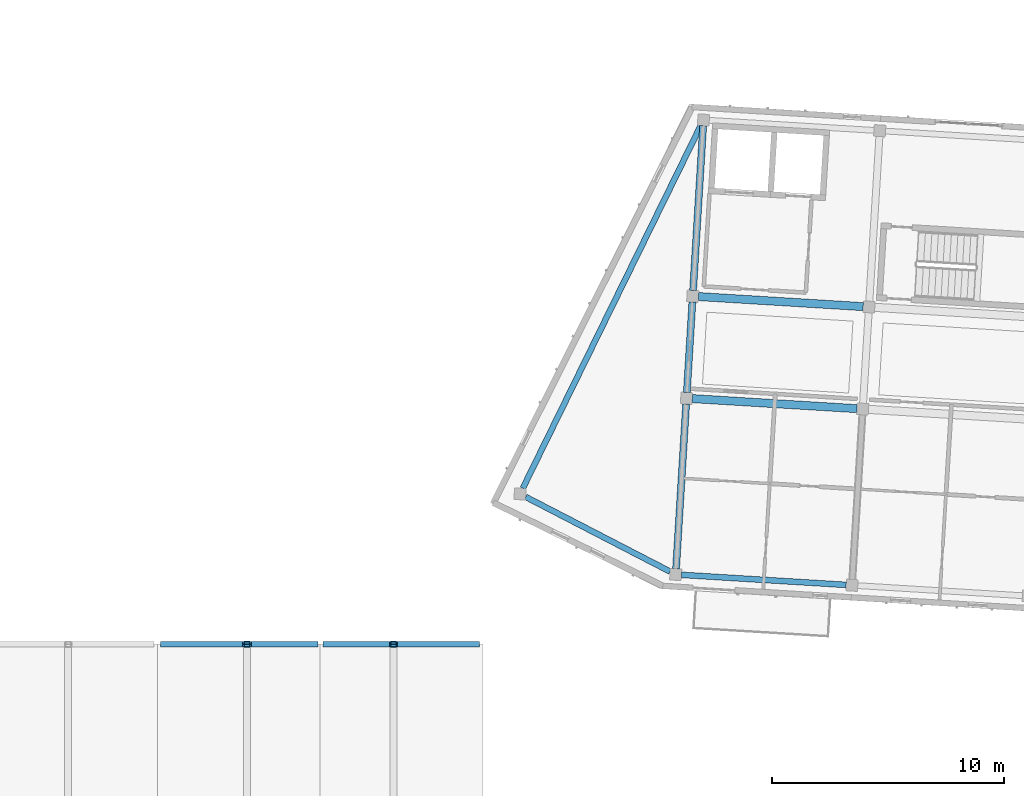
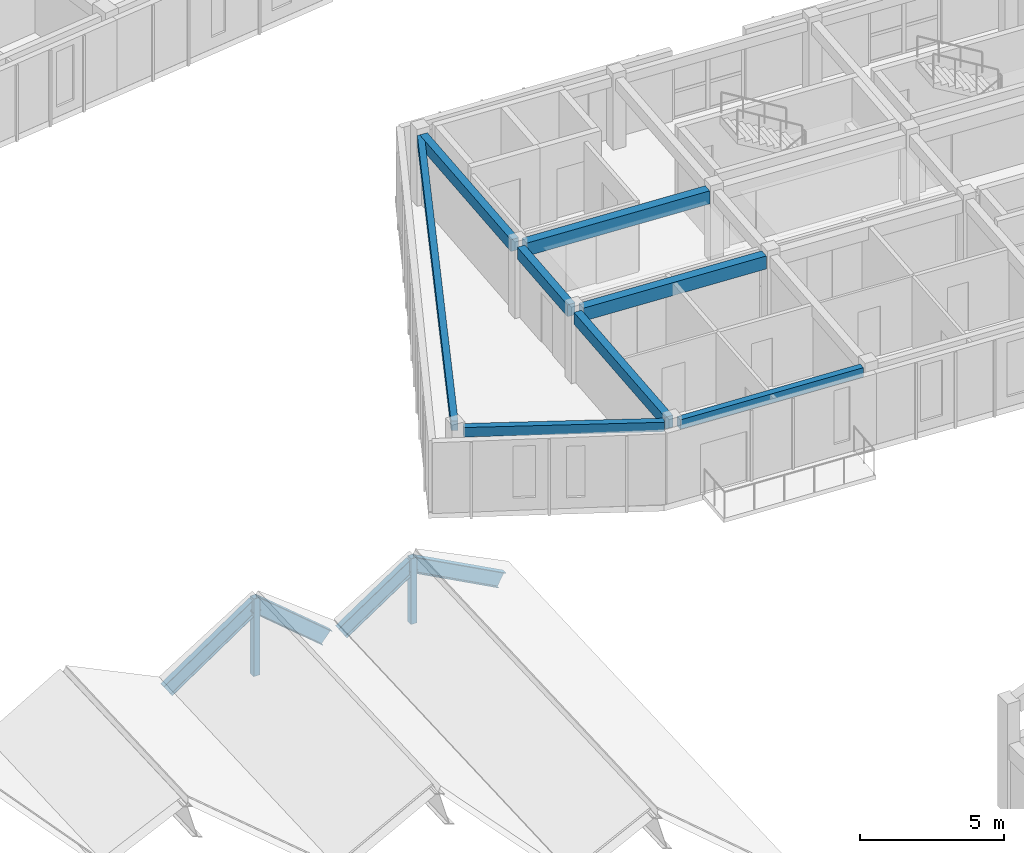
# One storey, part 13 of 127: 12 beams, 2 members.
"""IFC4 building model written with IfcOpenShell, lengths in metres."""

from ifc_helpers import new_model, si_unit, direction, frame, origin, origin_2d, place, context, subcontext, project, spatial, rectangle, hollow_rectangle, i_section, extrude, material, material_profile, profile_set, type_object, element, save


model = new_model("IFC4")

# Units and contexts
model_context = context("Model", 3, precision=1e-05, world=origin(), true_north=direction((0.0, 1.0)))
body_context = subcontext(model_context, "Body", "Model", "MODEL_VIEW")
ifc_project = project(units=[si_unit("LENGTHUNIT", "METRE"), si_unit("AREAUNIT", "SQUARE_METRE"), si_unit("VOLUMEUNIT", "CUBIC_METRE"), si_unit("PLANEANGLEUNIT", "RADIAN"), si_unit("MASSUNIT", "GRAM", prefix="KILO")], contexts=[model_context])

# Site, building, storey
site_placement = place(None, origin())
site = spatial("IfcSite", under=ifc_project, at=site_placement, CompositionType="ELEMENT")
building_placement = place(site_placement, origin())
building = spatial("IfcBuilding", under=site, at=building_placement, Name="Kestramere Prow Commons", CompositionType="ELEMENT")
storey_placement = place(building_placement, frame((0.0, 0.0, 8.39990234375)))
storey = spatial("IfcBuildingStorey", under=building, at=storey_placement, Name="L02", CompositionType="ELEMENT", Elevation=8.39990234375)

# Beams
ifc_material_1 = material(Name="Precast concrete C40/50", Category="concrete")
ifc_material_profile_1 = material_profile(ifc_material_1, rectangle(XDim=0.35009765625, YDim=0.550048828125, at=origin_2d()), Name="PC-BM 350x550")
ifc_profile_set_1 = profile_set([ifc_material_profile_1], Name="Precast concrete C40/50")
beam_type_1 = type_object("IfcBeamType", Name="BM-C1 PC-BM 350x550", PredefinedType="BEAM", material=ifc_profile_set_1)
for number, where, z_axis, x_axis, name in (
    (1, (60.213623046875, 54.070556640625, 2.72509765625), (0.998135568114, -0.061035953884, 0.0), (0.061035953884, 0.998135568114, 0.0), "Block C L02 Longitudinal Beam 2-1"),
    (2, (60.482177734375, 58.46240234375, 2.72509765625), (0.998133472633, -0.061070212127, 0.0), (0.061070212127, 0.998133472633, 0.0), "Block C L02 Longitudinal Beam 3-1"),
):
    element("IfcBeam", number, at=place(storey_placement, frame(where, z_axis=z_axis, x_axis=x_axis)), inside=storey, type_object=beam_type_1, Name=name, PredefinedType="BEAM", context=body_context, shape_type="SweptSolid", body=[
        extrude(rectangle(XDim=0.35009765625, YDim=0.550048828125, at=origin_2d()), origin(), (0.0, 0.0, 1.0), 7.099853515625),
    ])
ifc_material_2 = material(Name="Steel S355JR", Category="steel")
ifc_material_profile_2 = material_profile(ifc_material_2, i_section(OverallWidth=0.22900390625, OverallDepth=0.6123046875, WebThickness=0.011962890625, FlangeThickness=0.01953125, FilletRadius=0.0126953125, at=origin_2d()), Name="UB 610x229x125")
ifc_profile_set_2 = profile_set([ifc_material_profile_2], Name="Steel S355JR")
beam_type_2 = type_object("IfcBeamType", Name="BM-FP-GAB UB 610x229x125", PredefinedType="BEAM", material=ifc_profile_set_2)
beam_1_placement = place(storey_placement, frame((37.5, 43.5, 1.091552734375), z_axis=(0.828456797129, 0.0, 0.560052975433), x_axis=(0.0, 1.0, 0.0)))
element("IfcBeam", 3, at=beam_1_placement, inside=storey, type_object=beam_type_2, Name="Hall Gable Fold Rafter 6NL", PredefinedType="BEAM", context=body_context, shape_type="SweptSolid", body=[
    extrude(i_section(OverallWidth=0.22900390625, OverallDepth=0.6123046875, WebThickness=0.011962890625, FlangeThickness=0.01953125, FilletRadius=0.0126953125, at=origin_2d()), origin(), (0.0, 0.0, 1.0), 4.28515625),
])
beam_2_placement = place(storey_placement, frame((41.050048828125, 43.5, 3.491455078125), z_axis=(0.764907799574, 0.0, -0.644139781531), x_axis=(0.0, 1.0, 0.0)))
element("IfcBeam", 4, at=beam_2_placement, inside=storey, type_object=beam_type_2, Name="Hall Gable Fold Rafter 6NR", PredefinedType="BEAM", context=body_context, shape_type="SweptSolid", body=[
    extrude(i_section(OverallWidth=0.22900390625, OverallDepth=0.6123046875, WebThickness=0.011962890625, FlangeThickness=0.01953125, FilletRadius=0.0126953125, at=origin_2d()), origin(), (0.0, 0.0, 1.0), 3.725830078125),
])
beam_3_placement = place(storey_placement, frame((44.5, 43.5, 1.091552734375), z_axis=(0.832072224664, 0.0, 0.554667299327), x_axis=(0.0, 1.0, 0.0)))
element("IfcBeam", 5, at=beam_3_placement, inside=storey, type_object=beam_type_2, Name="Hall Gable Fold Rafter 7NL", PredefinedType="BEAM", context=body_context, shape_type="SweptSolid", body=[
    extrude(i_section(OverallWidth=0.22900390625, OverallDepth=0.6123046875, WebThickness=0.011962890625, FlangeThickness=0.01953125, FilletRadius=0.0126953125, at=origin_2d()), origin(), (0.0, 0.0, 1.0), 3.42529296875),
])
beam_4_placement = place(storey_placement, frame((47.35009765625, 43.5, 2.991455078125), z_axis=(0.881663797742, 0.0, -0.471878106879), x_axis=(0.0, 1.0, 0.0)))
element("IfcBeam", 6, at=beam_4_placement, inside=storey, type_object=beam_type_2, Name="Hall Gable Fold Rafter 7NR", PredefinedType="BEAM", context=body_context, shape_type="SweptSolid", body=[
    extrude(i_section(OverallWidth=0.22900390625, OverallDepth=0.6123046875, WebThickness=0.011962890625, FlangeThickness=0.01953125, FilletRadius=0.0126953125, at=origin_2d()), origin(), (0.0, 0.0, 1.0), 4.0263671875),
])
ifc_material_profile_3 = material_profile(ifc_material_1, rectangle(XDim=0.300048828125, YDim=0.5, at=origin_2d()), Name="PC-BM 300x500")
ifc_profile_set_3 = profile_set([ifc_material_profile_3], Name="Precast concrete C40/50")
beam_type_3 = type_object("IfcBeamType", Name="BM-TIE-01 PC-BM 300x500", PredefinedType="BEAM", material=ifc_profile_set_3)
beam_5_placement = place(storey_placement, frame((59.515380859375, 46.74951171875, 2.75), z_axis=(0.061035953884, 0.998135568114, 0.0), x_axis=(-0.998135568114, 0.061035953884, 0.0)))
element("IfcBeam", 7, at=beam_5_placement, inside=storey, type_object=beam_type_3, Name="Block C L02 Transverse Beam 1-1", PredefinedType="BEAM", context=body_context, shape_type="SweptSolid", body=[
    extrude(rectangle(XDim=0.300048828125, YDim=0.5, at=origin_2d()), origin(), (0.0, 0.0, 1.0), 7.099853515625),
])
beam_6_placement = place(storey_placement, frame((59.979248046875, 54.33544921875, 2.75), z_axis=(0.061037511668, 0.998135472854, 0.0), x_axis=(-0.998135472854, 0.061037511668, 0.0)))
element("IfcBeam", 8, at=beam_6_placement, inside=storey, type_object=beam_type_3, Name="Block C L02 Transverse Beam 1-2", PredefinedType="BEAM", context=body_context, shape_type="SweptSolid", body=[
    extrude(rectangle(XDim=0.300048828125, YDim=0.5, at=origin_2d()), origin(), (0.0, 0.0, 1.0), 3.89990234375),
])
beam_7_placement = place(storey_placement, frame((60.247802734375, 58.72705078125, 2.75), z_axis=(0.061068116134, 0.998133600873, 0.0), x_axis=(-0.998133600873, 0.061068116134, 0.0)))
element("IfcBeam", 9, at=beam_7_placement, inside=storey, type_object=beam_type_3, Name="Block C L02 Transverse Beam 1-3", PredefinedType="BEAM", context=body_context, shape_type="SweptSolid", body=[
    extrude(rectangle(XDim=0.300048828125, YDim=0.5, at=origin_2d()), origin(), (0.0, 0.0, 1.0), 7.10009765625),
])

# Members
ifc_material_profile_4 = material_profile(ifc_material_2, hollow_rectangle(XDim=0.25, YDim=0.25, WallThickness=0.012451171875, at=origin_2d()), Name="SHS 250x250x12.5")
ifc_profile_set_4 = profile_set([ifc_material_profile_4], Name="Steel S355JR")
member_type = type_object("IfcMemberType", Name="BRAPX-01 SHS 250x250x12.5", PredefinedType="BRACE", material=ifc_profile_set_4)
member_1_placement = place(storey_placement, frame((41.050048828125, 43.5, 0.518798828125), z_axis=(0.0, 0.0, 1.0), x_axis=(1.0, 0.0, 0.0)))
element("IfcMember", 10, at=member_1_placement, inside=storey, type_object=member_type, Name="Hall Gable King-Post Diagonal Brace 6N", PredefinedType="BRACE", context=body_context, shape_type="SweptSolid", body=[
    extrude(hollow_rectangle(XDim=0.25, YDim=0.25, WallThickness=0.012451171875, at=origin_2d()), origin(), (0.0, 0.0, 1.0), 3.27880859375),
])
member_2_placement = place(storey_placement, frame((47.35009765625, 43.5, 0.518798828125), z_axis=(0.0, 0.0, 1.0), x_axis=(1.0, 0.0, 0.0)))
element("IfcMember", 11, at=member_2_placement, inside=storey, type_object=member_type, Name="Hall Gable King-Post Diagonal Brace 7N", PredefinedType="BRACE", context=body_context, shape_type="SweptSolid", body=[
    extrude(hollow_rectangle(XDim=0.25, YDim=0.25, WallThickness=0.012451171875, at=origin_2d()), origin(), (0.0, 0.0, 1.0), 2.77880859375),
])

# Beams
ifc_material_profile_5 = material_profile(ifc_material_1, rectangle(XDim=0.25, YDim=0.39990234375, at=origin_2d()), Name="PC-SP 250x400")
ifc_profile_set_5 = profile_set([ifc_material_profile_5], Name="Precast concrete C40/50")
beam_type_4 = type_object("IfcBeamType", Name="SP-EXT-01 PC-SP 250x400", PredefinedType="SPANDREL", material=ifc_profile_set_5)
beam_8_placement = place(storey_placement, frame((59.251220703125, 46.628662109375, 2.800048828125), z_axis=(-0.888240269485, 0.459379171998, 0.0), x_axis=(-0.459379171998, -0.888240269485, 0.0)))
element("IfcBeam", 12, at=beam_8_placement, inside=storey, type_object=beam_type_4, Name="Block C L02 Prow Facet Beam S", PredefinedType="SPANDREL", context=body_context, shape_type="SweptSolid", body=[
    extrude(rectangle(XDim=0.25, YDim=0.39990234375, at=origin_2d()), origin(), (0.0, 0.0, 1.0), 6.98388671875),
])
beam_9_placement = place(storey_placement, frame((60.5732421875, 65.81201171875, 2.800048828125), z_axis=(-0.440448933016, -0.897777665909, 0.0), x_axis=(0.897777665909, -0.440448933016, 0.0)))
element("IfcBeam", 13, at=beam_9_placement, inside=storey, type_object=beam_type_4, Name="Block C L02 Prow Facet Beam N", PredefinedType="SPANDREL", context=body_context, shape_type="SweptSolid", body=[
    extrude(rectangle(XDim=0.25, YDim=0.39990234375, at=origin_2d()), origin(), (0.0, 0.0, 1.0), 17.37060546875),
])
beam_10_placement = place(storey_placement, frame((59.74951171875, 46.484619140625, 2.800048828125), z_axis=(0.998135568114, -0.061035953884, 0.0), x_axis=(0.061035953884, 0.998135568114, 0.0)))
element("IfcBeam", 14, at=beam_10_placement, inside=storey, type_object=beam_type_4, Name="Block C L02 Longitudinal Beam 1-1", PredefinedType="SPANDREL", context=body_context, shape_type="SweptSolid", body=[
    extrude(rectangle(XDim=0.25, YDim=0.39990234375, at=origin_2d()), origin(), (0.0, 0.0, 1.0), 7.099853515625),
])

save(model, "model.ifc")
